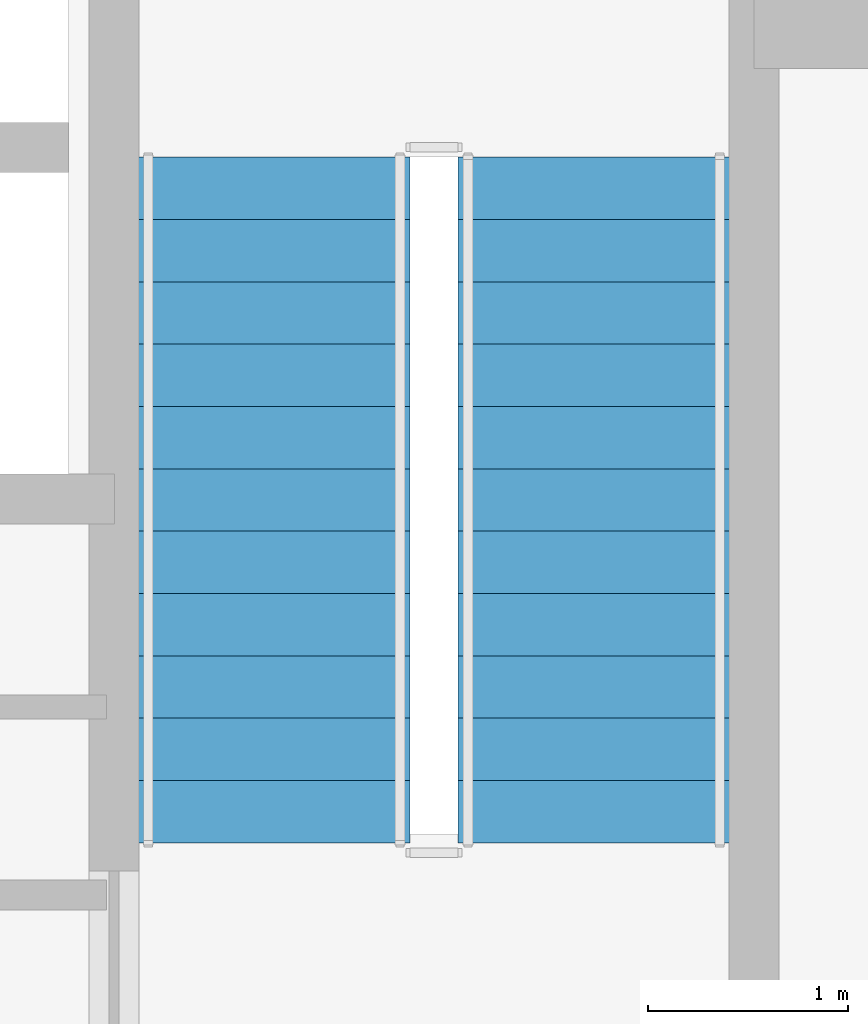
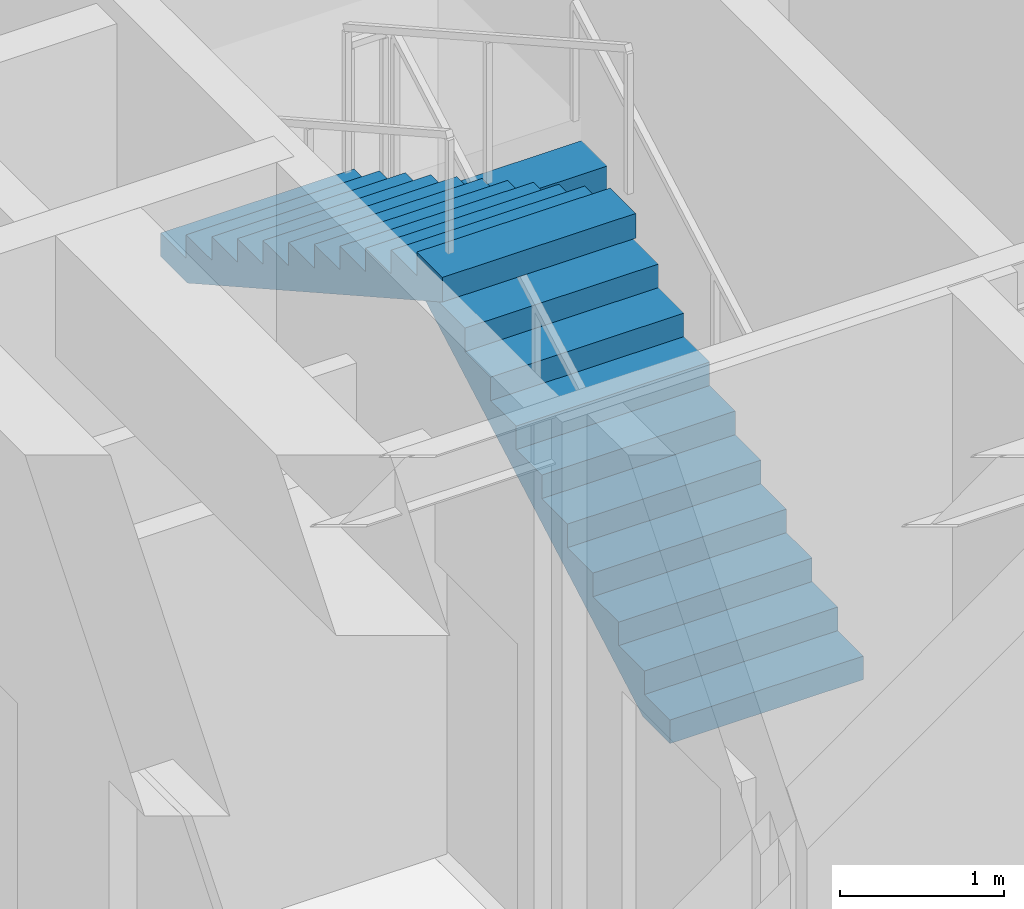
# One storey, part 11 of 16: 2 stair flights, 1 element without a shape of its own.
"""IFC4 building model written with IfcOpenShell, lengths in metres."""

import ifcopenshell
import ifcopenshell.guid

model = None  # the IFC model being written
_history = None  # IfcOwnerHistory: only IFC2X3 demands one
_inside = {}  # id of a spatial element -> (the spatial element, [elements in it])
_under = {}  # id of a project, library or spatial element -> (it, [spatial elements below it])
_declared = {}  # id of a project -> (the project, [libraries it declares])
_typed = {}  # id of a type object -> (the type object, [elements of that type])
_made_of = {}  # id of a material, layer set ... -> (it, [elements and type objects made of it])


def new_model(schema):
    """Start an empty IFC model of exactly this schema.

    Asked for "IFC4X3", IfcOpenShell would pick the latest addendum, in which some entities
    have other attributes; the version numbers below select the first issue.
    IFC2X3 requires an IfcOwnerHistory on every rooted entity: one is made here for all.
    """
    global model, _history
    if schema == "IFC4X3":
        model = ifcopenshell.file(schema_version=(4, 3, 0, 0))
    else:
        model = ifcopenshell.file(schema=schema)
    _inside.clear()
    _under.clear()
    _declared.clear()
    _typed.clear()
    _made_of.clear()
    _history = None
    if model.schema == "IFC2X3":
        org = make("IfcOrganization", Name="unknown")
        user = make(
            "IfcPersonAndOrganization",
            ThePerson=make("IfcPerson", FamilyName="unknown"),
            TheOrganization=org,
        )
        app = make(
            "IfcApplication",
            ApplicationDeveloper=org,
            Version="unknown",
            ApplicationFullName="unknown",
            ApplicationIdentifier="unknown",
        )
        _history = make(
            "IfcOwnerHistory",
            OwningUser=user,
            OwningApplication=app,
            ChangeAction="ADDED",
            CreationDate=0,
        )
    return model


def make(cls, **values):
    """One entity of the class cls with the attributes given. An attribute that is None is left unset."""
    return model.create_entity(
        cls, **{name: value for name, value in values.items() if value is not None}
    )


def rooted(cls, **values):
    """An entity with a GlobalId (a new one), such as an element, a storey or a relation."""
    return make(cls, GlobalId=ifcopenshell.guid.new(), OwnerHistory=_history, **values)


def si_unit(unit_type, name, prefix=None):
    """IfcSIUnit, for example si_unit("LENGTHUNIT", "METRE", prefix="MILLI")."""
    return make("IfcSIUnit", UnitType=unit_type, Prefix=prefix, Name=name)


def assignment(units):
    """IfcUnitAssignment: the units of a project."""
    return None if units is None else make("IfcUnitAssignment", Units=units)


def point(xyz):
    """IfcCartesianPoint."""
    return None if xyz is None else make("IfcCartesianPoint", Coordinates=xyz)


def direction(xyz):
    """IfcDirection."""
    return None if xyz is None else make("IfcDirection", DirectionRatios=xyz)


def frame(location, z_axis=None, x_axis=None):
    """IfcAxis2Placement3D, a coordinate frame: its origin and axes. An axis left out is left unset."""
    return make(
        "IfcAxis2Placement3D",
        Location=point(location),
        Axis=direction(z_axis),
        RefDirection=direction(x_axis),
    )


def origin():
    """The frame at (0, 0, 0) with its axes left unset."""
    return frame((0.0, 0.0, 0.0))


def place(relative_to, where):
    """IfcLocalPlacement: puts the frame where relative to a parent placement (None: the world)."""
    return make(
        "IfcLocalPlacement", PlacementRelTo=relative_to, RelativePlacement=where
    )


def context(
    kind, dimensions, precision=None, world=None, true_north=None, identifier=None
):
    """IfcGeometricRepresentationContext, for example the 3D "Model" context."""
    return make(
        "IfcGeometricRepresentationContext",
        ContextIdentifier=identifier,
        ContextType=kind,
        CoordinateSpaceDimension=dimensions,
        Precision=precision,
        WorldCoordinateSystem=world,
        TrueNorth=true_north,
    )


def subcontext(parent, identifier, kind, view, scale=None):
    """IfcGeometricRepresentationSubContext, for example "Body" below "Model"."""
    return make(
        "IfcGeometricRepresentationSubContext",
        ContextIdentifier=identifier,
        ContextType=kind,
        ParentContext=parent,
        TargetScale=scale,
        TargetView=view,
    )


def project(units=None, contexts=None):
    """IfcProject with its units and contexts."""
    return rooted(
        "IfcProject",
        Name="project",
        RepresentationContexts=contexts,
        UnitsInContext=assignment(units),
    )


def spatial(cls, under=None, at=None, **own):
    """A site, building, storey or space (cls), placed at a placement, below another one or the project."""
    s = rooted(cls, ObjectPlacement=at, **own)
    if under is not None:
        _under.setdefault(under.id(), (under, []))[1].append(s)
    return s


def polyline(points):
    """IfcPolyline through the points."""
    return make("IfcPolyline", Points=[point(p) for p in points])


def outline(outer, holes=None, kind="AREA"):
    """IfcArbitraryClosedProfileDef: a profile drawn as a closed curve; with holes, ...WithVoids."""
    if holes is None:
        return make("IfcArbitraryClosedProfileDef", ProfileType=kind, OuterCurve=outer)
    return make(
        "IfcArbitraryProfileDefWithVoids",
        ProfileType=kind,
        OuterCurve=outer,
        InnerCurves=holes,
    )


def extrude(swept, where, along, depth):
    """IfcExtrudedAreaSolid: the profile swept, set in the frame where, extruded along a direction by depth."""
    return make(
        "IfcExtrudedAreaSolid",
        SweptArea=swept,
        Position=where,
        ExtrudedDirection=direction(along),
        Depth=depth,
    )


def shape(context_of_items, identifier, shape_type, items):
    """IfcShapeRepresentation: the items that make up one representation, for example the "Body"."""
    return make(
        "IfcShapeRepresentation",
        ContextOfItems=context_of_items,
        RepresentationIdentifier=identifier,
        RepresentationType=shape_type,
        Items=items,
    )


def material(Name=None, Category=None):
    """IfcMaterial."""
    return make("IfcMaterial", Name=Name, Category=Category)


def made_of(thing, what):
    """Note that an element or type object is made of a material, layer set ...; save() writes the relation."""
    if what is not None:
        _made_of.setdefault(what.id(), (what, []))[1].append(thing)
    return thing


def type_object(cls, material=None, **own):
    """A type object (cls), such as IfcWallType, which elements share."""
    return made_of(rooted(cls, **own), material)


def element(
    cls,
    number,
    at=None,
    inside=None,
    cuts=None,
    type_object=None,
    material=None,
    context=None,
    identifier="Body",
    shape_type=None,
    held_by="IfcProductDefinitionShape",
    body=None,
    shapes=None,
    **own,
):
    """One element of the class cls, such as IfcWall. Its Tag is "e" and its number.

    at: its placement. inside: the storey or other place that contains it. cuts: it is an
    opening in that element (IfcRelVoidsElement). A single representation is given by context,
    identifier, shape_type and body (its items); several are given by shapes. held_by: the class
    of the entity that holds the representations. save() writes the other relations.
    """
    e = rooted(cls, Tag="e%d" % number, ObjectPlacement=at, **own)
    if body is not None:
        shapes = [shape(context, identifier, shape_type, body)]
    if shapes is not None:
        e.Representation = make(held_by, Representations=shapes)
    if inside is not None:
        _inside.setdefault(inside.id(), (inside, []))[1].append(e)
    if cuts is not None:
        rooted(
            "IfcRelVoidsElement", RelatingBuildingElement=cuts, RelatedOpeningElement=e
        )
    if type_object is not None:
        _typed.setdefault(type_object.id(), (type_object, []))[1].append(e)
    return made_of(e, material)


def aggregate(whole, parts):
    """IfcRelAggregates: a whole, such as a stair, and the parts it consists of."""
    return rooted("IfcRelAggregates", RelatingObject=whole, RelatedObjects=parts)


def save(model, path):
    """Write the relations noted so far, then the file.

    IfcRelAggregates (storeys below a building ...), IfcRelContainedInSpatialStructure (elements
    in a storey), IfcRelDefinesByType, IfcRelAssociatesMaterial and IfcRelDeclares: one each for
    every whole, place, type object, material and project.
    """
    for whole, parts in _under.values():
        aggregate(whole, parts)
    for where, things in _inside.values():
        rooted(
            "IfcRelContainedInSpatialStructure",
            RelatedElements=things,
            RelatingStructure=where,
        )
    for kind, things in _typed.values():
        rooted("IfcRelDefinesByType", RelatedObjects=things, RelatingType=kind)
    for what, things in _made_of.values():
        rooted("IfcRelAssociatesMaterial", RelatedObjects=things, RelatingMaterial=what)
    for by, libraries in _declared.values():
        rooted("IfcRelDeclares", RelatingContext=by, RelatedDefinitions=libraries)
    model.write(path)


model = new_model("IFC4")

# Units and contexts
model_context = context("Model", 3, precision=1e-05, world=origin(), true_north=direction((0.0, 1.0)))
body_context = subcontext(model_context, "Body", "Model", "MODEL_VIEW")
ifc_project = project(units=[si_unit("LENGTHUNIT", "METRE"), si_unit("AREAUNIT", "SQUARE_METRE"), si_unit("VOLUMEUNIT", "CUBIC_METRE"), si_unit("PLANEANGLEUNIT", "RADIAN"), si_unit("MASSUNIT", "GRAM", prefix="KILO")], contexts=[model_context])

# Site, building, storey
site_placement = place(None, origin())
site = spatial("IfcSite", under=ifc_project, at=site_placement, CompositionType="ELEMENT")
building_placement = place(site_placement, origin())
building = spatial("IfcBuilding", under=site, at=building_placement, Name="Keilestroom Media Tower", CompositionType="ELEMENT")
storey_placement = place(building_placement, frame((0.0, 0.0, 93.0)))
storey = spatial("IfcBuildingStorey", under=building, at=storey_placement, Name="L24", CompositionType="ELEMENT", Elevation=93.0)

# Stair, stair flights
ifc_material_1 = material(Name="Concrete C45/55", Category="concrete")
stair_type = type_object("IfcStairType", Name="Enclosed-Dog-Leg-Stair-ST-CORE", PredefinedType="HALF_TURN_STAIR", material=ifc_material_1)
stair_placement = place(storey_placement, origin())
stair = element("IfcStair", 1, at=stair_placement, inside=storey, type_object=stair_type, Name="L24 East Core Escape Stair ST-2", PredefinedType="HALF_TURN_STAIR")
ifc_material_2 = material(Name="Precast concrete C40/50", Category="concrete")
stair_flight_type = type_object("IfcStairFlightType", Name="Precast-Concrete-Stair-Flight-Core-160", PredefinedType="STRAIGHT", material=ifc_material_2)
stair_flight_1_placement = place(storey_placement, frame((10.580078125, 1.5, 0.0), z_axis=(0.0, 0.0, 1.0), x_axis=(0.0, 1.0, 0.0)))
stair_flight_1 = element("IfcStairFlight", 2, at=stair_flight_1_placement, type_object=stair_flight_type, Name="ST-2 flight 1", NumberOfRisers=12, NumberOfTreads=11, PredefinedType="STRAIGHT", RiserHeight=0.175, TreadLength=0.312, context=body_context, shape_type="SweptSolid", body=[
    extrude(outline(polyline([(0.0, 0.0), (0.0, 0.175048828125), (0.31201171875, 0.175048828125), (0.31201171875, 0.35009765625), (0.6240234375, 0.35009765625), (0.6240234375, 0.52490234375), (0.93603515625, 0.52490234375), (0.93603515625, 0.699951171875), (1.248046875, 0.699951171875), (1.248046875, 0.875), (1.56005859375, 0.875), (1.56005859375, 1.050048828125), (1.8720703125, 1.050048828125), (1.8720703125, 1.22509765625), (2.18408203125, 1.22509765625), (2.18408203125, 1.39990234375), (2.49609375, 1.39990234375), (2.49609375, 1.574951171875), (2.80810546875, 1.574951171875), (2.80810546875, 1.75), (3.1201171875, 1.75), (3.1201171875, 1.925048828125), (3.431884765625, 1.925048828125), (3.431884765625, 2.10009765625), (3.431884765625, 1.74169921875), (0.326904296875, 0.0), (0.0, 0.0)])), frame((0.0, 0.68017578125, 0.0), z_axis=(0.0, -1.0, 0.0), x_axis=(1.0, 0.0, 0.0)), (0.0, 0.0, 1.0), 1.360107421875),
])
stair_flight_2_placement = place(storey_placement, frame((8.97998046875, 4.931884765625, 2.10009765625), z_axis=(0.0, 0.0, 1.0), x_axis=(0.0, -1.0, 0.0)))
stair_flight_2 = element("IfcStairFlight", 3, at=stair_flight_2_placement, type_object=stair_flight_type, Name="ST-2 flight 2", NumberOfRisers=12, NumberOfTreads=11, PredefinedType="STRAIGHT", RiserHeight=0.175, TreadLength=0.312, context=body_context, shape_type="SweptSolid", body=[
    extrude(outline(polyline([(0.0, 0.0), (0.0, 0.175048828125), (0.31201171875, 0.175048828125), (0.31201171875, 0.35009765625), (0.6240234375, 0.35009765625), (0.6240234375, 0.52490234375), (0.93603515625, 0.52490234375), (0.93603515625, 0.699951171875), (1.248046875, 0.699951171875), (1.248046875, 0.875), (1.56005859375, 0.875), (1.56005859375, 1.050048828125), (1.8720703125, 1.050048828125), (1.8720703125, 1.22509765625), (2.18408203125, 1.22509765625), (2.18408203125, 1.39990234375), (2.49609375, 1.39990234375), (2.49609375, 1.574951171875), (2.80810546875, 1.574951171875), (2.80810546875, 1.75), (3.1201171875, 1.75), (3.1201171875, 1.925048828125), (3.431884765625, 1.925048828125), (3.431884765625, 2.10009765625), (3.431884765625, 1.74169921875), (0.326904296875, 0.0), (0.0, 0.0)])), frame((0.0, 0.68017578125, 0.0), z_axis=(0.0, -1.0, 0.0), x_axis=(1.0, 0.0, 0.0)), (0.0, 0.0, 1.0), 1.360107421875),
])
aggregate(stair, [stair_flight_1, stair_flight_2])

save(model, "model.ifc")
